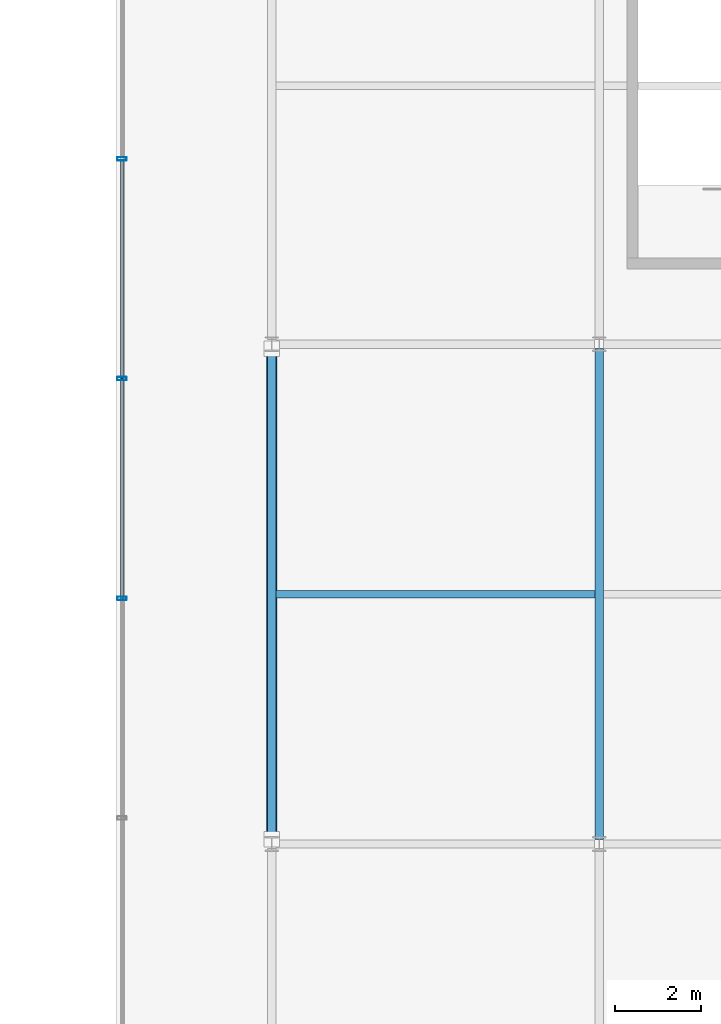
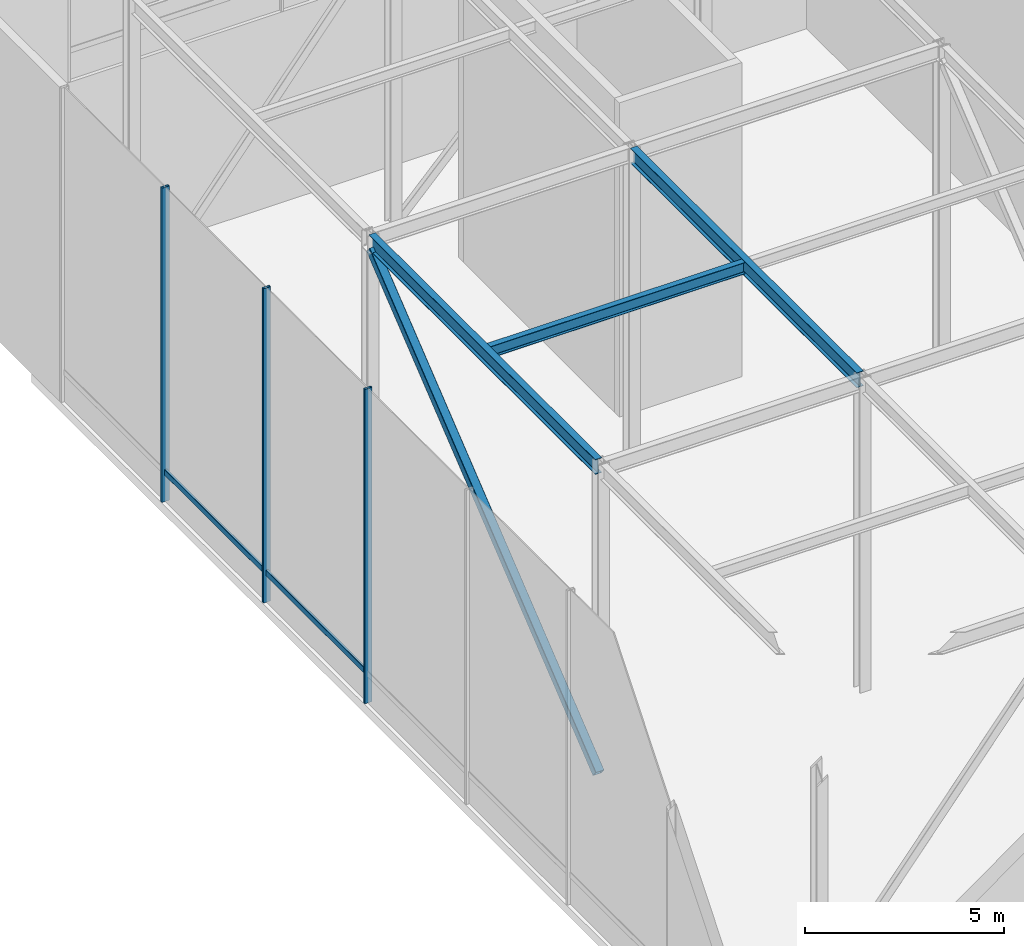
# One storey, part 9 of 42: 6 members, 3 beams, 1 element without a shape of its own.
"""IFC4 building model written with IfcOpenShell, lengths in metres."""

from ifc_helpers import new_model, si_unit, direction, frame, origin, origin_2d, place, context, subcontext, project, spatial, hollow_rectangle, i_section, extrude, material, layer, layer_set, material_profile, profile_set, type_object, element, aggregate, save


model = new_model("IFC4")

# Units and contexts
model_context = context("Model", 3, precision=1e-05, world=origin(), true_north=direction((0.0, 1.0)))
body_context = subcontext(model_context, "Body", "Model", "MODEL_VIEW")
ifc_project = project(units=[si_unit("LENGTHUNIT", "METRE"), si_unit("AREAUNIT", "SQUARE_METRE"), si_unit("VOLUMEUNIT", "CUBIC_METRE"), si_unit("PLANEANGLEUNIT", "RADIAN"), si_unit("MASSUNIT", "GRAM", prefix="KILO")], contexts=[model_context])

# Site, building, storey
site_placement = place(None, origin())
site = spatial("IfcSite", under=ifc_project, at=site_placement, CompositionType="ELEMENT")
building_placement = place(site_placement, origin())
building = spatial("IfcBuilding", under=site, at=building_placement, Name="Korimba Cascade Residences", CompositionType="ELEMENT")
storey_placement = place(building_placement, frame((0.0, 0.0, 207.60009765625)))
storey = spatial("IfcBuildingStorey", under=building, at=storey_placement, Name="L60", CompositionType="ELEMENT", Elevation=207.60009765625)

# Beams
ifc_material_1 = material(Name="Steel S355", Category="steel")
ifc_material_profile_1 = material_profile(ifc_material_1, i_section(OverallWidth=0.172119140625, OverallDepth=0.35791015625, WebThickness=0.008056640625, FlangeThickness=0.012939453125, FilletRadius=0.01025390625, at=origin_2d()), Name="Steel S355")
ifc_profile_set_1 = profile_set([ifc_material_profile_1], Name="Steel S355")
beam_type_1 = type_object("IfcBeamType", Name="BM-STL-UB356", PredefinedType="JOIST", material=ifc_profile_set_1)
beam_placement = place(storey_placement, frame((74.60009765625, 12.60009765625, 9.470947265625), z_axis=(1.0, 0.0, 0.0), x_axis=(0.0, 1.0, 0.0)))
element("IfcBeam", 1, at=beam_placement, inside=storey, type_object=beam_type_1, Name="L60 Crown Cap Joist W2.1", PredefinedType="JOIST", context=body_context, shape_type="SweptSolid", body=[
    extrude(i_section(OverallWidth=0.172119140625, OverallDepth=0.35791015625, WebThickness=0.008056640625, FlangeThickness=0.012939453125, FilletRadius=0.01025390625, at=origin_2d()), origin(), (0.0, 0.0, 1.0), 7.39990234375),
])
ifc_material_profile_2 = material_profile(ifc_material_1, i_section(OverallWidth=0.19140625, OverallDepth=0.4599609375, WebThickness=0.010009765625, FlangeThickness=0.01611328125, FilletRadius=0.01025390625, at=origin_2d()), Name="Steel S355")
ifc_profile_set_2 = profile_set([ifc_material_profile_2], Name="Steel S355")
beam_type_2 = type_object("IfcBeamType", Name="BM-STL-UB457", PredefinedType="JOIST", material=ifc_profile_set_2)
for number, where, z_axis, x_axis, name in (
    (2, (74.5, 6.905029296875, 9.419921875), (0.0, 1.0, 0.0), (-1.0, 0.0, 0.0), "L60 Crown Cap Tie Beam W1.2"),
    (3, (82.10009765625, 6.905029296875, 9.419921875), (0.0, 1.0, 0.0), (-1.0, 0.0, 0.0), "L60 Crown Cap Tie Beam W2.2"),
):
    element("IfcBeam", number, at=place(storey_placement, frame(where, z_axis=z_axis, x_axis=x_axis)), inside=storey, type_object=beam_type_2, Name=name, PredefinedType="JOIST", context=body_context, shape_type="SweptSolid", body=[
        extrude(i_section(OverallWidth=0.19140625, OverallDepth=0.4599609375, WebThickness=0.010009765625, FlangeThickness=0.01611328125, FilletRadius=0.01025390625, at=origin_2d()), origin(), (0.0, 0.0, 1.0), 11.389892578125),
    ])

# Curtain wall, members
ifc_material_2 = material(Name="Anodised Aluminium Curtain Wall Framing", Category="aluminium")
ifc_layer = layer(ifc_material_2, 0.179931640625)
ifc_layer_set = layer_set([ifc_layer], Name="Anodised Aluminium Curtain Wall Framing")
curtain_wall_type = type_object("IfcCurtainWallType", Name="CW-CRNE-SYS6", PredefinedType="NOTDEFINED", material=ifc_layer_set)
curtain_wall_placement = place(storey_placement, origin())
curtain_wall = element("IfcCurtainWall", 4, at=curtain_wall_placement, inside=storey, type_object=curtain_wall_type, Name="L60 Curtain Wall CW-L60-CRN-W-1", PredefinedType="NOTDEFINED")
ifc_material_3 = material(Name="Anodised Aluminium Mullion", Category="aluminium")
ifc_material_profile_3 = material_profile(ifc_material_3, hollow_rectangle(XDim=0.080078125, YDim=0.219970703125, WallThickness=0.00634765625, InnerFilletRadius=0.00634765625, OuterFilletRadius=0.0126953125, at=origin_2d()), Name="Anodised Aluminium Mullion")
ifc_profile_set_3 = profile_set([ifc_material_profile_3], Name="Anodised Aluminium Mullion")
member_type_1 = type_object("IfcMemberType", Name="CWM-MUL-220", PredefinedType="MULLION", material=ifc_profile_set_3)
member_1_placement = place(storey_placement, frame((71.02490234375, 12.5, 0.0), z_axis=(0.0, 0.0, 1.0), x_axis=(0.0, 1.0, 0.0)))
member_1 = element("IfcMember", 5, at=member_1_placement, type_object=member_type_1, Name="CW-L60-CRN-W-1 Mullion 4", PredefinedType="MULLION", context=body_context, shape_type="SweptSolid", body=[
    extrude(hollow_rectangle(XDim=0.080078125, YDim=0.219970703125, WallThickness=0.00634765625, InnerFilletRadius=0.00634765625, OuterFilletRadius=0.0126953125, at=origin_2d()), origin(), (0.0, 0.0, 1.0), 9.64990234375),
])
member_2_placement = place(storey_placement, frame((71.02490234375, 17.60009765625, 0.0), z_axis=(0.0, 0.0, 1.0), x_axis=(0.0, 1.0, 0.0)))
member_2 = element("IfcMember", 6, at=member_2_placement, type_object=member_type_1, Name="CW-L60-CRN-W-1 Mullion 5", PredefinedType="MULLION", context=body_context, shape_type="SweptSolid", body=[
    extrude(hollow_rectangle(XDim=0.080078125, YDim=0.219970703125, WallThickness=0.00634765625, InnerFilletRadius=0.00634765625, OuterFilletRadius=0.0126953125, at=origin_2d()), origin(), (0.0, 0.0, 1.0), 9.64990234375),
])
member_3_placement = place(storey_placement, frame((71.02490234375, 22.699951171875, 0.0), z_axis=(0.0, 0.0, 1.0), x_axis=(0.0, 1.0, 0.0)))
member_3 = element("IfcMember", 7, at=member_3_placement, type_object=member_type_1, Name="CW-L60-CRN-W-1 Mullion 6", PredefinedType="MULLION", context=body_context, shape_type="SweptSolid", body=[
    extrude(hollow_rectangle(XDim=0.080078125, YDim=0.219970703125, WallThickness=0.00634765625, InnerFilletRadius=0.00634765625, OuterFilletRadius=0.0126953125, at=origin_2d()), origin(), (0.0, 0.0, 1.0), 9.64990234375),
])
ifc_material_4 = material(Name="Anodised Aluminium Transom", Category="aluminium")
ifc_material_profile_4 = material_profile(ifc_material_4, hollow_rectangle(XDim=0.070068359375, YDim=0.179931640625, WallThickness=0.0048828125, InnerFilletRadius=0.0048828125, OuterFilletRadius=0.010009765625, at=origin_2d()), Name="Anodised Aluminium Transom")
ifc_profile_set_4 = profile_set([ifc_material_profile_4], Name="Anodised Aluminium Transom")
member_type_2 = type_object("IfcMemberType", Name="CWM-TRN-150", PredefinedType="USERDEFINED", material=ifc_profile_set_4)
member_4_placement = place(storey_placement, frame((71.02490234375, 12.5, 0.89990234375), z_axis=(0.0, 1.0, 0.0), x_axis=(-1.0, 0.0, 0.0)))
member_4 = element("IfcMember", 8, at=member_4_placement, type_object=member_type_2, Name="CW-L60-CRN-W-1 Transom 4", ObjectType="TRANSOM", PredefinedType="USERDEFINED", context=body_context, shape_type="SweptSolid", body=[
    extrude(hollow_rectangle(XDim=0.070068359375, YDim=0.179931640625, WallThickness=0.0048828125, InnerFilletRadius=0.0048828125, OuterFilletRadius=0.010009765625, at=origin_2d()), origin(), (0.0, 0.0, 1.0), 5.10009765625),
])
member_5_placement = place(storey_placement, frame((71.02490234375, 17.60009765625, 0.89990234375), z_axis=(0.0, 1.0, 0.0), x_axis=(-1.0, 0.0, 0.0)))
member_5 = element("IfcMember", 9, at=member_5_placement, type_object=member_type_2, Name="CW-L60-CRN-W-1 Transom 5", ObjectType="TRANSOM", PredefinedType="USERDEFINED", context=body_context, shape_type="SweptSolid", body=[
    extrude(hollow_rectangle(XDim=0.070068359375, YDim=0.179931640625, WallThickness=0.0048828125, InnerFilletRadius=0.0048828125, OuterFilletRadius=0.010009765625, at=origin_2d()), origin(), (0.0, 0.0, 1.0), 5.099853515625),
])
aggregate(curtain_wall, [member_1, member_2, member_3, member_4, member_5])

# Member
ifc_material_profile_5 = material_profile(ifc_material_1, hollow_rectangle(XDim=0.25, YDim=0.25, WallThickness=0.010009765625, InnerFilletRadius=0.010009765625, OuterFilletRadius=0.02001953125, at=origin_2d()), Name="Steel S355")
ifc_profile_set_5 = profile_set([ifc_material_profile_5], Name="Steel S355")
member_type_3 = type_object("IfcMemberType", Name="MEM-CRN-SHS250", PredefinedType="STRUT", material=ifc_profile_set_5)
member_6_placement = place(storey_placement, frame((74.5, 6.905029296875, 0.0), z_axis=(0.0, 0.778065643136, 0.628182978894), x_axis=(-1.0, 0.0, 0.0)))
element("IfcMember", 10, at=member_6_placement, inside=storey, type_object=member_type_3, Name="L60 CROWN FRAME Strut W1", PredefinedType="STRUT", context=body_context, shape_type="SweptSolid", body=[
    extrude(hollow_rectangle(XDim=0.25, YDim=0.25, WallThickness=0.010009765625, InnerFilletRadius=0.010009765625, OuterFilletRadius=0.02001953125, at=origin_2d()), origin(), (0.0, 0.0, 1.0), 14.638671875),
])

save(model, "model.ifc")
